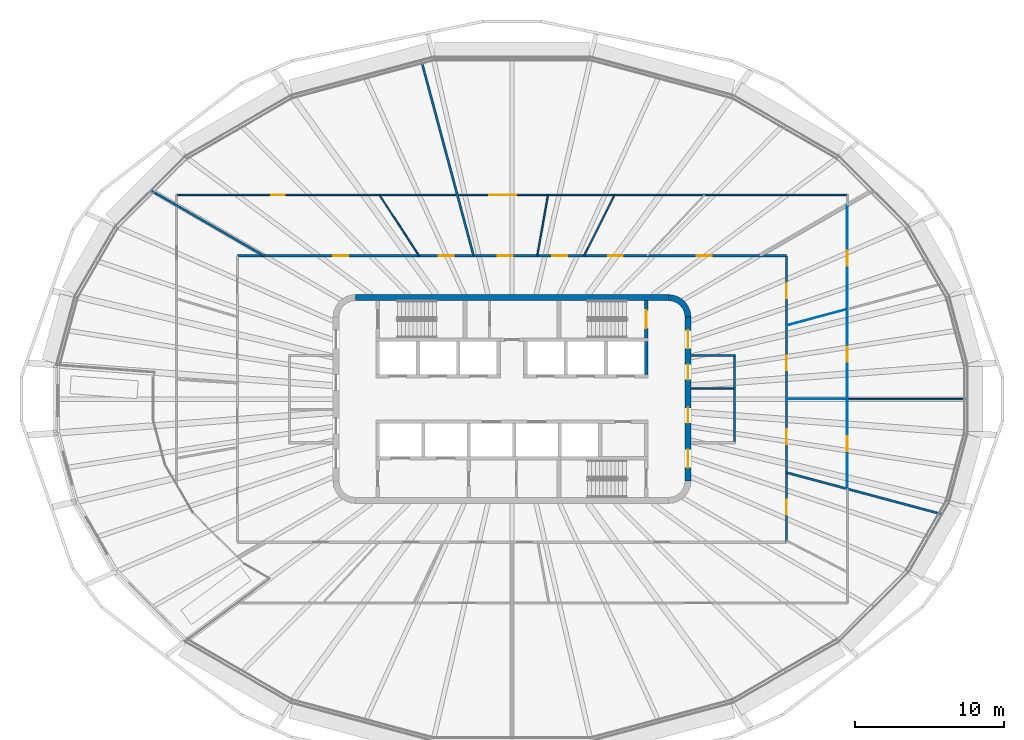
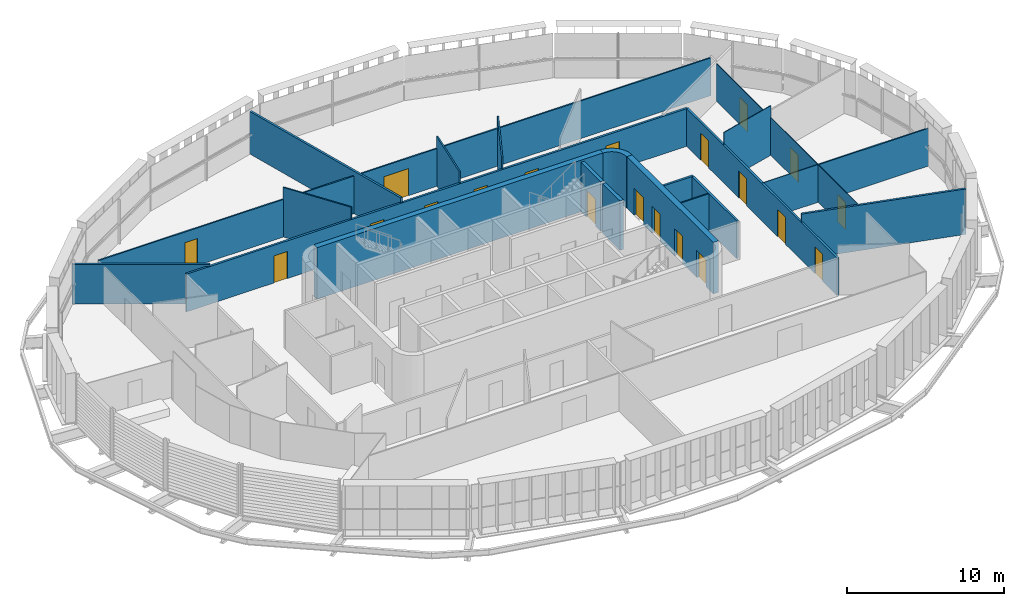
# One storey, part 12 of 20: 21 walls, 20 doors, 20 openings.
"""IFC4 building model written with IfcOpenShell, lengths in metres."""

import ifcopenshell
import ifcopenshell.guid

model = None  # the IFC model being written
_history = None  # IfcOwnerHistory: only IFC2X3 demands one
_inside = {}  # id of a spatial element -> (the spatial element, [elements in it])
_under = {}  # id of a project, library or spatial element -> (it, [spatial elements below it])
_declared = {}  # id of a project -> (the project, [libraries it declares])
_typed = {}  # id of a type object -> (the type object, [elements of that type])
_made_of = {}  # id of a material, layer set ... -> (it, [elements and type objects made of it])


def new_model(schema):
    """Start an empty IFC model of exactly this schema.

    Asked for "IFC4X3", IfcOpenShell would pick the latest addendum, in which some entities
    have other attributes; the version numbers below select the first issue.
    IFC2X3 requires an IfcOwnerHistory on every rooted entity: one is made here for all.
    """
    global model, _history
    if schema == "IFC4X3":
        model = ifcopenshell.file(schema_version=(4, 3, 0, 0))
    else:
        model = ifcopenshell.file(schema=schema)
    _inside.clear()
    _under.clear()
    _declared.clear()
    _typed.clear()
    _made_of.clear()
    _history = None
    if model.schema == "IFC2X3":
        org = make("IfcOrganization", Name="unknown")
        user = make(
            "IfcPersonAndOrganization",
            ThePerson=make("IfcPerson", FamilyName="unknown"),
            TheOrganization=org,
        )
        app = make(
            "IfcApplication",
            ApplicationDeveloper=org,
            Version="unknown",
            ApplicationFullName="unknown",
            ApplicationIdentifier="unknown",
        )
        _history = make(
            "IfcOwnerHistory",
            OwningUser=user,
            OwningApplication=app,
            ChangeAction="ADDED",
            CreationDate=0,
        )
    return model


def make(cls, **values):
    """One entity of the class cls with the attributes given. An attribute that is None is left unset."""
    return model.create_entity(
        cls, **{name: value for name, value in values.items() if value is not None}
    )


def rooted(cls, **values):
    """An entity with a GlobalId (a new one), such as an element, a storey or a relation."""
    return make(cls, GlobalId=ifcopenshell.guid.new(), OwnerHistory=_history, **values)


def si_unit(unit_type, name, prefix=None):
    """IfcSIUnit, for example si_unit("LENGTHUNIT", "METRE", prefix="MILLI")."""
    return make("IfcSIUnit", UnitType=unit_type, Prefix=prefix, Name=name)


def assignment(units):
    """IfcUnitAssignment: the units of a project."""
    return None if units is None else make("IfcUnitAssignment", Units=units)


def point(xyz):
    """IfcCartesianPoint."""
    return None if xyz is None else make("IfcCartesianPoint", Coordinates=xyz)


def direction(xyz):
    """IfcDirection."""
    return None if xyz is None else make("IfcDirection", DirectionRatios=xyz)


def frame(location, z_axis=None, x_axis=None):
    """IfcAxis2Placement3D, a coordinate frame: its origin and axes. An axis left out is left unset."""
    return make(
        "IfcAxis2Placement3D",
        Location=point(location),
        Axis=direction(z_axis),
        RefDirection=direction(x_axis),
    )


def frame_2d(location, x_axis=None):
    """IfcAxis2Placement2D, a coordinate frame in the plane: its origin and x axis."""
    return make(
        "IfcAxis2Placement2D", Location=point(location), RefDirection=direction(x_axis)
    )


def origin():
    """The frame at (0, 0, 0) with its axes left unset."""
    return frame((0.0, 0.0, 0.0))


def place(relative_to, where):
    """IfcLocalPlacement: puts the frame where relative to a parent placement (None: the world)."""
    return make(
        "IfcLocalPlacement", PlacementRelTo=relative_to, RelativePlacement=where
    )


def context(
    kind, dimensions, precision=None, world=None, true_north=None, identifier=None
):
    """IfcGeometricRepresentationContext, for example the 3D "Model" context."""
    return make(
        "IfcGeometricRepresentationContext",
        ContextIdentifier=identifier,
        ContextType=kind,
        CoordinateSpaceDimension=dimensions,
        Precision=precision,
        WorldCoordinateSystem=world,
        TrueNorth=true_north,
    )


def subcontext(parent, identifier, kind, view, scale=None):
    """IfcGeometricRepresentationSubContext, for example "Body" below "Model"."""
    return make(
        "IfcGeometricRepresentationSubContext",
        ContextIdentifier=identifier,
        ContextType=kind,
        ParentContext=parent,
        TargetScale=scale,
        TargetView=view,
    )


def project(units=None, contexts=None):
    """IfcProject with its units and contexts."""
    return rooted(
        "IfcProject",
        Name="project",
        RepresentationContexts=contexts,
        UnitsInContext=assignment(units),
    )


def spatial(cls, under=None, at=None, **own):
    """A site, building, storey or space (cls), placed at a placement, below another one or the project."""
    s = rooted(cls, ObjectPlacement=at, **own)
    if under is not None:
        _under.setdefault(under.id(), (under, []))[1].append(s)
    return s


def polyline(points):
    """IfcPolyline through the points."""
    return make("IfcPolyline", Points=[point(p) for p in points])


def profile(cls, at=None, kind="AREA", **sizes):
    """A parametric profile (cls). Its sizes go by their IFC names, for example OverallWidth=200.0."""
    return make(cls, ProfileType=kind, Position=at, **sizes)


def rectangle(**sizes):
    """IfcRectangleProfileDef."""
    return profile("IfcRectangleProfileDef", **sizes)


def outline(outer, holes=None, kind="AREA"):
    """IfcArbitraryClosedProfileDef: a profile drawn as a closed curve; with holes, ...WithVoids."""
    if holes is None:
        return make("IfcArbitraryClosedProfileDef", ProfileType=kind, OuterCurve=outer)
    return make(
        "IfcArbitraryProfileDefWithVoids",
        ProfileType=kind,
        OuterCurve=outer,
        InnerCurves=holes,
    )


def extrude(swept, where, along, depth):
    """IfcExtrudedAreaSolid: the profile swept, set in the frame where, extruded along a direction by depth."""
    return make(
        "IfcExtrudedAreaSolid",
        SweptArea=swept,
        Position=where,
        ExtrudedDirection=direction(along),
        Depth=depth,
    )


def shape(context_of_items, identifier, shape_type, items):
    """IfcShapeRepresentation: the items that make up one representation, for example the "Body"."""
    return make(
        "IfcShapeRepresentation",
        ContextOfItems=context_of_items,
        RepresentationIdentifier=identifier,
        RepresentationType=shape_type,
        Items=items,
    )


def material(Name=None, Category=None):
    """IfcMaterial."""
    return make("IfcMaterial", Name=Name, Category=Category)


def layer(
    of_material, thickness, ventilated=None, Name=None, Category=None, Priority=None
):
    """IfcMaterialLayer: one layer of a wall or slab, of a material (None: an air gap)."""
    return make(
        "IfcMaterialLayer",
        Material=of_material,
        LayerThickness=thickness,
        IsVentilated=ventilated,
        Name=Name,
        Category=Category,
        Priority=Priority,
    )


def layer_set(layers, Name=None):
    """IfcMaterialLayerSet."""
    return make("IfcMaterialLayerSet", MaterialLayers=layers, LayerSetName=Name)


def made_of(thing, what):
    """Note that an element or type object is made of a material, layer set ...; save() writes the relation."""
    if what is not None:
        _made_of.setdefault(what.id(), (what, []))[1].append(thing)
    return thing


def type_object(cls, material=None, **own):
    """A type object (cls), such as IfcWallType, which elements share."""
    return made_of(rooted(cls, **own), material)


def element(
    cls,
    number,
    at=None,
    inside=None,
    cuts=None,
    type_object=None,
    material=None,
    context=None,
    identifier="Body",
    shape_type=None,
    held_by="IfcProductDefinitionShape",
    body=None,
    shapes=None,
    **own,
):
    """One element of the class cls, such as IfcWall. Its Tag is "e" and its number.

    at: its placement. inside: the storey or other place that contains it. cuts: it is an
    opening in that element (IfcRelVoidsElement). A single representation is given by context,
    identifier, shape_type and body (its items); several are given by shapes. held_by: the class
    of the entity that holds the representations. save() writes the other relations.
    """
    e = rooted(cls, Tag="e%d" % number, ObjectPlacement=at, **own)
    if body is not None:
        shapes = [shape(context, identifier, shape_type, body)]
    if shapes is not None:
        e.Representation = make(held_by, Representations=shapes)
    if inside is not None:
        _inside.setdefault(inside.id(), (inside, []))[1].append(e)
    if cuts is not None:
        rooted(
            "IfcRelVoidsElement", RelatingBuildingElement=cuts, RelatedOpeningElement=e
        )
    if type_object is not None:
        _typed.setdefault(type_object.id(), (type_object, []))[1].append(e)
    return made_of(e, material)


def fill(opening, filler):
    """IfcRelFillsElement: the door or window that sits in an opening."""
    return rooted(
        "IfcRelFillsElement",
        RelatingOpeningElement=opening,
        RelatedBuildingElement=filler,
    )


def aggregate(whole, parts):
    """IfcRelAggregates: a whole, such as a stair, and the parts it consists of."""
    return rooted("IfcRelAggregates", RelatingObject=whole, RelatedObjects=parts)


def save(model, path):
    """Write the relations noted so far, then the file.

    IfcRelAggregates (storeys below a building ...), IfcRelContainedInSpatialStructure (elements
    in a storey), IfcRelDefinesByType, IfcRelAssociatesMaterial and IfcRelDeclares: one each for
    every whole, place, type object, material and project.
    """
    for whole, parts in _under.values():
        aggregate(whole, parts)
    for where, things in _inside.values():
        rooted(
            "IfcRelContainedInSpatialStructure",
            RelatedElements=things,
            RelatingStructure=where,
        )
    for kind, things in _typed.values():
        rooted("IfcRelDefinesByType", RelatedObjects=things, RelatingType=kind)
    for what, things in _made_of.values():
        rooted("IfcRelAssociatesMaterial", RelatedObjects=things, RelatingMaterial=what)
    for by, libraries in _declared.values():
        rooted("IfcRelDeclares", RelatingContext=by, RelatedDefinitions=libraries)
    model.write(path)


model = new_model("IFC4")

# Units and contexts
model_context = context("Model", 3, precision=1e-05, world=origin(), true_north=direction((0.0, 1.0)))
body_context = subcontext(model_context, "Body", "Model", "MODEL_VIEW")
ifc_project = project(units=[si_unit("LENGTHUNIT", "METRE"), si_unit("AREAUNIT", "SQUARE_METRE"), si_unit("VOLUMEUNIT", "CUBIC_METRE"), si_unit("PLANEANGLEUNIT", "RADIAN"), si_unit("MASSUNIT", "GRAM", prefix="KILO")], contexts=[model_context])

# Site, building, storey
site_placement = place(None, origin())
site = spatial("IfcSite", under=ifc_project, at=site_placement, CompositionType="ELEMENT")
building_placement = place(site_placement, origin())
building = spatial("IfcBuilding", under=site, at=building_placement, Name="Sahrelin Media Tower", CompositionType="ELEMENT")
storey_placement = place(building_placement, frame((0.0, 0.0, 221.60009765625)))
storey = spatial("IfcBuildingStorey", under=building, at=storey_placement, Name="L47", CompositionType="ELEMENT", Elevation=221.60009765625)

# Wall
ifc_material_1 = material(Name="Concrete C60/75", Category="concrete")
ifc_layer_1 = layer(ifc_material_1, 0.39990234375)
ifc_layer_set_1 = layer_set([ifc_layer_1], Name="Core wall 400")
wall_type_1 = type_object("IfcWallType", Name="Core wall 400", PredefinedType="SHEAR", material=ifc_layer_set_1)
wall_1_placement = place(storey_placement, frame((-10.5, 6.800048828125, 0.0), z_axis=(0.0, 0.0, 1.0), x_axis=(1.0, 0.0, 0.0)))
element("IfcWall", 1, at=wall_1_placement, inside=storey, type_object=wall_type_1, Name="Core wall N L47", PredefinedType="SHEAR", context=body_context, shape_type="SweptSolid", body=[
    extrude(rectangle(XDim=21.0, YDim=0.39990234375, at=frame_2d((10.5, 0.0))), origin(), (0.0, 0.0, 1.0), 4.0),
])

# Wall, openings, doors
wall_2_placement = place(storey_placement, frame((11.800048828125, -5.5, 0.0), z_axis=(0.0, 0.0, 1.0), x_axis=(0.0, 1.0, 0.0)))
wall_2 = element("IfcWall", 2, at=wall_2_placement, inside=storey, type_object=wall_type_1, Name="Core wall E L47", PredefinedType="SHEAR", context=body_context, shape_type="SweptSolid", body=[
    extrude(rectangle(XDim=11.0, YDim=0.39990234375, at=frame_2d((5.5, 0.0))), origin(), (0.0, 0.0, 1.0), 4.0),
])
opening_1_placement = place(wall_2_placement, frame((3.89990234375, 0.0, 0.0)))
opening_1 = element("IfcOpeningElement", 3, at=opening_1_placement, cuts=wall_2, Name="Opening L47-D12", PredefinedType="OPENING", context=body_context, shape_type="SweptSolid", body=[
    extrude(rectangle(XDim=1.0, YDim=2.10009765625, at=frame_2d((0.5, 1.050048828125))), frame((0.0, 0.199951171875, 0.0), z_axis=(0.0, -1.0, 0.0), x_axis=(1.0, 0.0, 0.0)), (0.0, 0.0, 1.0), 0.39990234375),
])
opening_2_placement = place(wall_2_placement, frame((6.800048828125, 0.0, 0.0)))
opening_2 = element("IfcOpeningElement", 4, at=opening_2_placement, cuts=wall_2, Name="Opening L47-D13", PredefinedType="OPENING", context=body_context, shape_type="SweptSolid", body=[
    extrude(rectangle(XDim=1.0, YDim=2.10009765625, at=frame_2d((0.5, 1.050048828125))), frame((0.0, 0.199951171875, 0.0), z_axis=(0.0, -1.0, 0.0), x_axis=(1.0, 0.0, 0.0)), (0.0, 0.0, 1.0), 0.39990234375),
])
opening_3_placement = place(wall_2_placement, frame((0.89990234375, 0.0, 0.0)))
opening_3 = element("IfcOpeningElement", 5, at=opening_3_placement, cuts=wall_2, Name="Opening L47-D16", PredefinedType="OPENING", context=body_context, shape_type="SweptSolid", body=[
    extrude(rectangle(XDim=1.199951171875, YDim=2.10009765625, at=frame_2d((0.60009765625, 1.050048828125))), frame((0.0, 0.199951171875, 0.0), z_axis=(0.0, -1.0, 0.0), x_axis=(1.0, 0.0, 0.0)), (0.0, 0.0, 1.0), 0.39990234375),
])
opening_4_placement = place(wall_2_placement, frame((8.89990234375, 0.0, 0.0)))
opening_4 = element("IfcOpeningElement", 6, at=opening_4_placement, cuts=wall_2, Name="Opening L47-D17", PredefinedType="OPENING", context=body_context, shape_type="SweptSolid", body=[
    extrude(rectangle(XDim=1.199951171875, YDim=2.10009765625, at=frame_2d((0.60009765625, 1.050048828125))), frame((0.0, 0.199951171875, 0.0), z_axis=(0.0, -1.0, 0.0), x_axis=(1.0, 0.0, 0.0)), (0.0, 0.0, 1.0), 0.39990234375),
])
ifc_material_2 = material(Name="Steel fire door leaf", Category="steel")
door_type_1 = type_object("IfcDoorType", Name="Fire door 1000 x 2100 EI 60", OperationType="NOTDEFINED", PredefinedType="DOOR", material=ifc_material_2)
door_1_placement = place(opening_1_placement, origin())
door_1 = element("IfcDoor", 7, at=door_1_placement, inside=storey, type_object=door_type_1, Name="Core room door", OperationType="SINGLE_SWING_RIGHT", OverallHeight=2.10009765625, OverallWidth=1.0, PredefinedType="DOOR", context=body_context, shape_type="SweptSolid", body=[
    extrude(rectangle(XDim=1.0, YDim=2.10009765625, at=frame_2d((0.5, 1.050048828125))), frame((0.0, 0.02490234375, 0.0), z_axis=(0.0, -1.0, 0.0), x_axis=(1.0, 0.0, 0.0)), (0.0, 0.0, 1.0), 0.050048828125),
])
fill(opening_1, door_1)
door_2_placement = place(opening_2_placement, origin())
door_2 = element("IfcDoor", 8, at=door_2_placement, inside=storey, type_object=door_type_1, Name="Core room door", OperationType="SINGLE_SWING_RIGHT", OverallHeight=2.10009765625, OverallWidth=1.0, PredefinedType="DOOR", context=body_context, shape_type="SweptSolid", body=[
    extrude(rectangle(XDim=1.0, YDim=2.10009765625, at=frame_2d((0.5, 1.050048828125))), frame((0.0, 0.02490234375, 0.0), z_axis=(0.0, -1.0, 0.0), x_axis=(1.0, 0.0, 0.0)), (0.0, 0.0, 1.0), 0.050048828125),
])
fill(opening_2, door_2)
door_type_2 = type_object("IfcDoorType", Name="Lobby door 1200 x 2100 EI 60", OperationType="NOTDEFINED", PredefinedType="DOOR", material=ifc_material_2)
door_3_placement = place(opening_3_placement, origin())
door_3 = element("IfcDoor", 9, at=door_3_placement, inside=storey, type_object=door_type_2, Name="Lobby door", OperationType="SINGLE_SWING_LEFT", OverallHeight=2.10009765625, OverallWidth=1.199951171875, PredefinedType="DOOR", context=body_context, shape_type="SweptSolid", body=[
    extrude(rectangle(XDim=1.199951171875, YDim=2.10009765625, at=frame_2d((0.60009765625, 1.050048828125))), frame((0.0, 0.02490234375, 0.0), z_axis=(0.0, -1.0, 0.0), x_axis=(1.0, 0.0, 0.0)), (0.0, 0.0, 1.0), 0.050048828125),
])
fill(opening_3, door_3)
door_4_placement = place(opening_4_placement, origin())
door_4 = element("IfcDoor", 10, at=door_4_placement, inside=storey, type_object=door_type_2, Name="Lobby door", OperationType="SINGLE_SWING_LEFT", OverallHeight=2.10009765625, OverallWidth=1.199951171875, PredefinedType="DOOR", context=body_context, shape_type="SweptSolid", body=[
    extrude(rectangle(XDim=1.199951171875, YDim=2.10009765625, at=frame_2d((0.60009765625, 1.050048828125))), frame((0.0, 0.02490234375, 0.0), z_axis=(0.0, -1.0, 0.0), x_axis=(1.0, 0.0, 0.0)), (0.0, 0.0, 1.0), 0.050048828125),
])
fill(opening_4, door_4)

# Walls
wall_3_placement = place(storey_placement, origin())
element("IfcWall", 11, at=wall_3_placement, inside=storey, type_object=wall_type_1, Name="Core wall corner NE L47", PredefinedType="SHEAR", context=body_context, shape_type="SweptSolid", body=[
    extrude(outline(polyline([(10.5, 7.0), (10.5, 6.596435546875), (10.78369140625, 6.55908203125), (11.04833984375, 6.44970703125), (11.275390625, 6.275390625), (11.44970703125, 6.04833984375), (11.55908203125, 5.78369140625), (11.596435546875, 5.5), (12.0, 5.5), (11.948974609375, 5.88818359375), (11.799072265625, 6.25), (11.560791015625, 6.560791015625), (11.25, 6.799072265625), (10.88818359375, 6.948974609375), (10.5, 7.0)])), origin(), (0.0, 0.0, 1.0), 4.0),
])
ifc_material_3 = material(Name="Fire-rated gypsum board partition")
ifc_layer_2 = layer(ifc_material_3, 0.10009765625)
ifc_layer_set_2 = layer_set([ifc_layer_2], Name="Fire-rated partition 100")
wall_type_2 = type_object("IfcWallType", Name="Fire-rated partition 100", PredefinedType="PARTITIONING", material=ifc_layer_set_2)
wall_4_placement = place(storey_placement, frame((12.0, 0.699951171875, 0.0), z_axis=(0.0, 0.0, 1.0), x_axis=(1.0, 0.0, 0.0)))
element("IfcWall", 12, at=wall_4_placement, inside=storey, type_object=wall_type_2, Name="Core room partition", PredefinedType="PARTITIONING", context=body_context, shape_type="SweptSolid", body=[
    extrude(rectangle(XDim=2.85009765625, YDim=0.10009765625, at=frame_2d((1.425048828125, 0.0))), origin(), (0.0, 0.0, 1.0), 2.918212890625),
])
ifc_layer_3 = layer(ifc_material_3, 0.14990234375)
ifc_layer_set_3 = layer_set([ifc_layer_3], Name="Fire-rated partition 150")
wall_type_3 = type_object("IfcWallType", Name="Fire-rated partition 150", PredefinedType="PARTITIONING", material=ifc_layer_set_3)
wall_5_placement = place(storey_placement, frame((14.925048828125, -2.85009765625, 0.0), z_axis=(0.0, 0.0, 1.0), x_axis=(0.0, 1.0, 0.0)))
element("IfcWall", 13, at=wall_5_placement, inside=storey, type_object=wall_type_3, Name="Core room fire partition", PredefinedType="PARTITIONING", context=body_context, shape_type="SweptSolid", body=[
    extrude(rectangle(XDim=5.7001953125, YDim=0.14990234375, at=frame_2d((2.85009765625, 0.0))), origin(), (0.0, 0.0, 1.0), 2.918212890625),
])
wall_6_placement = place(storey_placement, frame((12.0, 2.925048828125, 0.0), z_axis=(0.0, 0.0, 1.0), x_axis=(1.0, 0.0, 0.0)))
element("IfcWall", 14, at=wall_6_placement, inside=storey, type_object=wall_type_3, Name="Core room fire partition", PredefinedType="PARTITIONING", context=body_context, shape_type="SweptSolid", body=[
    extrude(rectangle(XDim=3.0, YDim=0.14990234375, at=frame_2d((1.5, 0.0))), origin(), (0.0, 0.0, 1.0), 2.918212890625),
])
wall_7_placement = place(storey_placement, frame((-6.0859375, 22.712890625, 0.0), z_axis=(0.0, 0.0, 1.0), x_axis=(0.258822080859, -0.965925012855, 0.0)))
element("IfcWall", 15, at=wall_7_placement, inside=storey, type_object=wall_type_3, Name="Wall", PredefinedType="PARTITIONING", context=body_context, shape_type="SweptSolid", body=[
    extrude(rectangle(XDim=13.57568359375, YDim=0.14990234375, at=frame_2d((6.787841796875, 0.0))), origin(), (0.0, 0.0, 1.0), 3.301513671875),
])
wall_8_placement = place(storey_placement, frame((-24.214111328125, 13.97998046875, 0.0), z_axis=(0.0, 0.0, 1.0), x_axis=(0.866025463095, -0.499999897272, 0.0)))
element("IfcWall", 16, at=wall_8_placement, inside=storey, type_object=wall_type_3, Name="Wall", PredefinedType="PARTITIONING", context=body_context, shape_type="SweptSolid", body=[
    extrude(rectangle(XDim=8.759765625, YDim=0.14990234375, at=frame_2d((4.3798828125, 0.0))), origin(), (0.0, 0.0, 1.0), 3.075927734375),
])
wall_9_placement = place(storey_placement, frame((18.39990234375, -4.930908203125, 0.0), z_axis=(0.0, 0.0, 1.0), x_axis=(0.96593412763, -0.25878806209, 0.0)))
element("IfcWall", 17, at=wall_9_placement, inside=storey, type_object=wall_type_3, Name="Wall", PredefinedType="PARTITIONING", context=body_context, shape_type="SweptSolid", body=[
    extrude(rectangle(XDim=10.800048828125, YDim=0.14990234375, at=frame_2d((5.39990234375, 0.0))), origin(), (0.0, 0.0, 1.0), 3.526611328125),
])

# Wall, openings, doors
wall_10_placement = place(storey_placement, frame((-18.39990234375, 9.60009765625, 0.0), z_axis=(0.0, 0.0, 1.0), x_axis=(1.0, 0.0, 0.0)))
wall_10 = element("IfcWall", 18, at=wall_10_placement, inside=storey, type_object=wall_type_3, Name="Wall", PredefinedType="PARTITIONING", context=body_context, shape_type="SweptSolid", body=[
    extrude(rectangle(XDim=36.7998046875, YDim=0.14990234375, at=frame_2d((18.39990234375, 0.0))), origin(), (0.0, 0.0, 1.0), 2.927001953125),
])
opening_5_placement = place(wall_10_placement, frame((30.793212890625, 0.0, 0.0)))
opening_5 = element("IfcOpeningElement", 19, at=opening_5_placement, cuts=wall_10, Name="Opening L47-D37", PredefinedType="OPENING", context=body_context, shape_type="SweptSolid", body=[
    extrude(rectangle(XDim=1.0, YDim=2.10009765625, at=frame_2d((0.5, 1.050048828125))), frame((0.0, 0.074951171875, 0.0), z_axis=(0.0, -1.0, 0.0), x_axis=(1.0, 0.0, 0.0)), (0.0, 0.0, 1.0), 0.14990234375),
])
opening_6_placement = place(wall_10_placement, frame((24.839599609375, 0.0, 0.0)))
opening_6 = element("IfcOpeningElement", 20, at=opening_6_placement, cuts=wall_10, Name="Opening L47-D38", PredefinedType="OPENING", context=body_context, shape_type="SweptSolid", body=[
    extrude(rectangle(XDim=1.0, YDim=2.10009765625, at=frame_2d((0.5, 1.050048828125))), frame((0.0, 0.074951171875, 0.0), z_axis=(0.0, -1.0, 0.0), x_axis=(1.0, 0.0, 0.0)), (0.0, 0.0, 1.0), 0.14990234375),
])
opening_7_placement = place(wall_10_placement, frame((21.10595703125, 0.0, 0.0)))
opening_7 = element("IfcOpeningElement", 21, at=opening_7_placement, cuts=wall_10, Name="Opening L47-D39", PredefinedType="OPENING", context=body_context, shape_type="SweptSolid", body=[
    extrude(rectangle(XDim=1.0, YDim=2.10009765625, at=frame_2d((0.5, 1.050048828125))), frame((0.0, 0.074951171875, 0.0), z_axis=(0.0, -1.0, 0.0), x_axis=(1.0, 0.0, 0.0)), (0.0, 0.0, 1.0), 0.14990234375),
])
opening_8_placement = place(wall_10_placement, frame((17.46044921875, 0.0, 0.0)))
opening_8 = element("IfcOpeningElement", 22, at=opening_8_placement, cuts=wall_10, Name="Opening L47-D40", PredefinedType="OPENING", context=body_context, shape_type="SweptSolid", body=[
    extrude(rectangle(XDim=1.0, YDim=2.10009765625, at=frame_2d((0.5, 1.050048828125))), frame((0.0, 0.074951171875, 0.0), z_axis=(0.0, -1.0, 0.0), x_axis=(1.0, 0.0, 0.0)), (0.0, 0.0, 1.0), 0.14990234375),
])
opening_9_placement = place(wall_10_placement, frame((13.4970703125, 0.0, 0.0)))
opening_9 = element("IfcOpeningElement", 23, at=opening_9_placement, cuts=wall_10, Name="Opening L47-D42", PredefinedType="OPENING", context=body_context, shape_type="SweptSolid", body=[
    extrude(rectangle(XDim=1.0, YDim=2.10009765625, at=frame_2d((0.5, 1.050048828125))), frame((0.0, 0.074951171875, 0.0), z_axis=(0.0, -1.0, 0.0), x_axis=(1.0, 0.0, 0.0)), (0.0, 0.0, 1.0), 0.14990234375),
])
opening_10_placement = place(wall_10_placement, frame((6.41845703125, 0.0, 0.0)))
opening_10 = element("IfcOpeningElement", 24, at=opening_10_placement, cuts=wall_10, Name="Opening L47-D43", PredefinedType="OPENING", context=body_context, shape_type="SweptSolid", body=[
    extrude(rectangle(XDim=1.0, YDim=2.10009765625, at=frame_2d((0.5, 1.050048828125))), frame((0.0, 0.074951171875, 0.0), z_axis=(0.0, -1.0, 0.0), x_axis=(1.0, 0.0, 0.0)), (0.0, 0.0, 1.0), 0.14990234375),
])
door_5_placement = place(opening_5_placement, origin())
door_5 = element("IfcDoor", 25, at=door_5_placement, inside=storey, type_object=door_type_1, Name="Fire door", OperationType="SINGLE_SWING_LEFT", OverallHeight=2.10009765625, OverallWidth=1.0, PredefinedType="DOOR", context=body_context, shape_type="SweptSolid", body=[
    extrude(rectangle(XDim=1.0, YDim=2.10009765625, at=frame_2d((0.5, 1.050048828125))), frame((0.0, 0.02490234375, 0.0), z_axis=(0.0, -1.0, 0.0), x_axis=(1.0, 0.0, 0.0)), (0.0, 0.0, 1.0), 0.050048828125),
])
fill(opening_5, door_5)
door_6_placement = place(opening_6_placement, origin())
door_6 = element("IfcDoor", 26, at=door_6_placement, inside=storey, type_object=door_type_1, Name="Fire door", OperationType="SINGLE_SWING_LEFT", OverallHeight=2.10009765625, OverallWidth=1.0, PredefinedType="DOOR", context=body_context, shape_type="SweptSolid", body=[
    extrude(rectangle(XDim=1.0, YDim=2.10009765625, at=frame_2d((0.5, 1.050048828125))), frame((0.0, 0.02490234375, 0.0), z_axis=(0.0, -1.0, 0.0), x_axis=(1.0, 0.0, 0.0)), (0.0, 0.0, 1.0), 0.050048828125),
])
fill(opening_6, door_6)
door_7_placement = place(opening_7_placement, origin())
door_7 = element("IfcDoor", 27, at=door_7_placement, inside=storey, type_object=door_type_1, Name="Fire door", OperationType="SINGLE_SWING_RIGHT", OverallHeight=2.10009765625, OverallWidth=1.0, PredefinedType="DOOR", context=body_context, shape_type="SweptSolid", body=[
    extrude(rectangle(XDim=1.0, YDim=2.10009765625, at=frame_2d((0.5, 1.050048828125))), frame((0.0, 0.02490234375, 0.0), z_axis=(0.0, -1.0, 0.0), x_axis=(1.0, 0.0, 0.0)), (0.0, 0.0, 1.0), 0.050048828125),
])
fill(opening_7, door_7)
door_8_placement = place(opening_8_placement, origin())
door_8 = element("IfcDoor", 28, at=door_8_placement, inside=storey, type_object=door_type_1, Name="Fire door", OperationType="SINGLE_SWING_LEFT", OverallHeight=2.10009765625, OverallWidth=1.0, PredefinedType="DOOR", context=body_context, shape_type="SweptSolid", body=[
    extrude(rectangle(XDim=1.0, YDim=2.10009765625, at=frame_2d((0.5, 1.050048828125))), frame((0.0, 0.02490234375, 0.0), z_axis=(0.0, -1.0, 0.0), x_axis=(1.0, 0.0, 0.0)), (0.0, 0.0, 1.0), 0.050048828125),
])
fill(opening_8, door_8)
door_9_placement = place(opening_9_placement, origin())
door_9 = element("IfcDoor", 29, at=door_9_placement, inside=storey, type_object=door_type_1, Name="Fire door", OperationType="SINGLE_SWING_LEFT", OverallHeight=2.10009765625, OverallWidth=1.0, PredefinedType="DOOR", context=body_context, shape_type="SweptSolid", body=[
    extrude(rectangle(XDim=1.0, YDim=2.10009765625, at=frame_2d((0.5, 1.050048828125))), frame((0.0, 0.02490234375, 0.0), z_axis=(0.0, -1.0, 0.0), x_axis=(1.0, 0.0, 0.0)), (0.0, 0.0, 1.0), 0.050048828125),
])
fill(opening_9, door_9)
door_10_placement = place(opening_10_placement, origin())
door_10 = element("IfcDoor", 30, at=door_10_placement, inside=storey, type_object=door_type_1, Name="Fire door", OperationType="SINGLE_SWING_LEFT", OverallHeight=2.10009765625, OverallWidth=1.0, PredefinedType="DOOR", context=body_context, shape_type="SweptSolid", body=[
    extrude(rectangle(XDim=1.0, YDim=2.10009765625, at=frame_2d((0.5, 1.050048828125))), frame((0.0, 0.02490234375, 0.0), z_axis=(0.0, -1.0, 0.0), x_axis=(1.0, 0.0, 0.0)), (0.0, 0.0, 1.0), 0.050048828125),
])
fill(opening_10, door_10)

wall_11_placement = place(storey_placement, frame((18.39990234375, -9.60009765625, 0.0), z_axis=(0.0, 0.0, 1.0), x_axis=(0.0, 1.0, 0.0)))
wall_11 = element("IfcWall", 31, at=wall_11_placement, inside=storey, type_object=wall_type_3, Name="Wall", PredefinedType="PARTITIONING", context=body_context, shape_type="SweptSolid", body=[
    extrude(rectangle(XDim=19.2001953125, YDim=0.14990234375, at=frame_2d((9.60009765625, 0.0))), origin(), (0.0, 0.0, 1.0), 2.918212890625),
])
opening_11_placement = place(wall_11_placement, frame((1.83447265625, 0.0, 0.0)))
opening_11 = element("IfcOpeningElement", 32, at=opening_11_placement, cuts=wall_11, Name="Opening L47-D29", PredefinedType="OPENING", context=body_context, shape_type="SweptSolid", body=[
    extrude(rectangle(XDim=1.0, YDim=2.10009765625, at=frame_2d((0.5, 1.050048828125))), frame((0.0, 0.074951171875, 0.0), z_axis=(0.0, -1.0, 0.0), x_axis=(1.0, 0.0, 0.0)), (0.0, 0.0, 1.0), 0.14990234375),
])
opening_12_placement = place(wall_11_placement, frame((6.583984375, 0.0, 0.0)))
opening_12 = element("IfcOpeningElement", 33, at=opening_12_placement, cuts=wall_11, Name="Opening L47-D31", PredefinedType="OPENING", context=body_context, shape_type="SweptSolid", body=[
    extrude(rectangle(XDim=1.0, YDim=2.10009765625, at=frame_2d((0.5, 1.050048828125))), frame((0.0, 0.074951171875, 0.0), z_axis=(0.0, -1.0, 0.0), x_axis=(1.0, 0.0, 0.0)), (0.0, 0.0, 1.0), 0.14990234375),
])
opening_13_placement = place(wall_11_placement, frame((11.514404296875, 0.0, 0.0)))
opening_13 = element("IfcOpeningElement", 34, at=opening_13_placement, cuts=wall_11, Name="Opening L47-D32", PredefinedType="OPENING", context=body_context, shape_type="SweptSolid", body=[
    extrude(rectangle(XDim=1.0, YDim=2.10009765625, at=frame_2d((0.5, 1.050048828125))), frame((0.0, 0.074951171875, 0.0), z_axis=(0.0, -1.0, 0.0), x_axis=(1.0, 0.0, 0.0)), (0.0, 0.0, 1.0), 0.14990234375),
])
opening_14_placement = place(wall_11_placement, frame((16.364990234375, 0.0, 0.0)))
opening_14 = element("IfcOpeningElement", 35, at=opening_14_placement, cuts=wall_11, Name="Opening L47-D33", PredefinedType="OPENING", context=body_context, shape_type="SweptSolid", body=[
    extrude(rectangle(XDim=1.0, YDim=2.10009765625, at=frame_2d((0.5, 1.050048828125))), frame((0.0, 0.074951171875, 0.0), z_axis=(0.0, -1.0, 0.0), x_axis=(1.0, 0.0, 0.0)), (0.0, 0.0, 1.0), 0.14990234375),
])
door_11_placement = place(opening_11_placement, origin())
door_11 = element("IfcDoor", 36, at=door_11_placement, inside=storey, type_object=door_type_1, Name="Fire door", OperationType="SINGLE_SWING_RIGHT", OverallHeight=2.10009765625, OverallWidth=1.0, PredefinedType="DOOR", context=body_context, shape_type="SweptSolid", body=[
    extrude(rectangle(XDim=1.0, YDim=2.10009765625, at=frame_2d((0.5, 1.050048828125))), frame((0.0, 0.02490234375, 0.0), z_axis=(0.0, -1.0, 0.0), x_axis=(1.0, 0.0, 0.0)), (0.0, 0.0, 1.0), 0.050048828125),
])
fill(opening_11, door_11)
door_12_placement = place(opening_12_placement, origin())
door_12 = element("IfcDoor", 37, at=door_12_placement, inside=storey, type_object=door_type_1, Name="Fire door", OperationType="SINGLE_SWING_RIGHT", OverallHeight=2.10009765625, OverallWidth=1.0, PredefinedType="DOOR", context=body_context, shape_type="SweptSolid", body=[
    extrude(rectangle(XDim=1.0, YDim=2.10009765625, at=frame_2d((0.5, 1.050048828125))), frame((0.0, 0.02490234375, 0.0), z_axis=(0.0, -1.0, 0.0), x_axis=(1.0, 0.0, 0.0)), (0.0, 0.0, 1.0), 0.050048828125),
])
fill(opening_12, door_12)
door_13_placement = place(opening_13_placement, origin())
door_13 = element("IfcDoor", 38, at=door_13_placement, inside=storey, type_object=door_type_1, Name="Fire door", OperationType="SINGLE_SWING_RIGHT", OverallHeight=2.10009765625, OverallWidth=1.0, PredefinedType="DOOR", context=body_context, shape_type="SweptSolid", body=[
    extrude(rectangle(XDim=1.0, YDim=2.10009765625, at=frame_2d((0.5, 1.050048828125))), frame((0.0, 0.02490234375, 0.0), z_axis=(0.0, -1.0, 0.0), x_axis=(1.0, 0.0, 0.0)), (0.0, 0.0, 1.0), 0.050048828125),
])
fill(opening_13, door_13)
door_14_placement = place(opening_14_placement, origin())
door_14 = element("IfcDoor", 39, at=door_14_placement, inside=storey, type_object=door_type_1, Name="Fire door", OperationType="SINGLE_SWING_RIGHT", OverallHeight=2.10009765625, OverallWidth=1.0, PredefinedType="DOOR", context=body_context, shape_type="SweptSolid", body=[
    extrude(rectangle(XDim=1.0, YDim=2.10009765625, at=frame_2d((0.5, 1.050048828125))), frame((0.0, 0.02490234375, 0.0), z_axis=(0.0, -1.0, 0.0), x_axis=(1.0, 0.0, 0.0)), (0.0, 0.0, 1.0), 0.050048828125),
])
fill(opening_14, door_14)

# Walls
ifc_material_4 = material(Name="Clear glass", Category="glass")
ifc_layer_4 = layer(ifc_material_4, 0.050048828125)
ifc_layer_set_4 = layer_set([ifc_layer_4], Name="Glazed partition 50")
wall_type_4 = type_object("IfcWallType", Name="Glazed partition 50", PredefinedType="PARTITIONING", material=ifc_layer_set_4)
wall_12_placement = place(storey_placement, frame((18.39990234375, 0.0, 0.0), z_axis=(0.0, 0.0, 1.0), x_axis=(0.999999971356, -0.000239348964, 0.0)))
element("IfcWall", 40, at=wall_12_placement, inside=storey, type_object=wall_type_4, Name="Wall", PredefinedType="PARTITIONING", context=body_context, shape_type="SweptSolid", body=[
    extrude(rectangle(XDim=4.080078125, YDim=0.050048828125, at=frame_2d((2.0400390625, 0.0))), origin(), (0.0, 0.0, 1.0), 2.927001953125),
])
wall_13_placement = place(storey_placement, frame((18.39990234375, 4.929931640625, 0.0), z_axis=(0.0, 0.0, 1.0), x_axis=(0.965939796444, 0.258766902147, 0.0)))
element("IfcWall", 41, at=wall_13_placement, inside=storey, type_object=wall_type_4, Name="Wall", PredefinedType="PARTITIONING", context=body_context, shape_type="SweptSolid", body=[
    extrude(rectangle(XDim=4.223876953125, YDim=0.050048828125, at=frame_2d((2.11181640625, 0.0))), origin(), (0.0, 0.0, 1.0), 3.849853515625),
])

# Wall, openings, doors
wall_14_placement = place(storey_placement, frame((22.47998046875, -6.02392578125, 0.0), z_axis=(0.0, 0.0, 1.0), x_axis=(0.0, 1.0, 0.0)))
wall_14 = element("IfcWall", 42, at=wall_14_placement, inside=storey, type_object=wall_type_4, Name="Wall", PredefinedType="PARTITIONING", context=body_context, shape_type="SweptSolid", body=[
    extrude(rectangle(XDim=19.0029296875, YDim=0.050048828125, at=frame_2d((9.50146484375, 0.0))), origin(), (0.0, 0.0, 1.0), 2.918212890625),
])
opening_15_placement = place(wall_14_placement, frame((2.511474609375, 0.0, 0.0)))
opening_15 = element("IfcOpeningElement", 43, at=opening_15_placement, cuts=wall_14, Name="Opening L47-D34", PredefinedType="OPENING", context=body_context, shape_type="SweptSolid", body=[
    extrude(rectangle(XDim=1.0, YDim=2.10009765625, at=frame_2d((0.5, 1.050048828125))), frame((0.0, 0.02490234375, 0.0), z_axis=(0.0, -1.0, 0.0), x_axis=(1.0, 0.0, 0.0)), (0.0, 0.0, 1.0), 0.050048828125),
])
opening_16_placement = place(wall_14_placement, frame((8.535400390625, 0.0, 0.0)))
opening_16 = element("IfcOpeningElement", 44, at=opening_16_placement, cuts=wall_14, Name="Opening L47-D35", PredefinedType="OPENING", context=body_context, shape_type="SweptSolid", body=[
    extrude(rectangle(XDim=1.0, YDim=2.10009765625, at=frame_2d((0.5, 1.050048828125))), frame((0.0, 0.02490234375, 0.0), z_axis=(0.0, -1.0, 0.0), x_axis=(1.0, 0.0, 0.0)), (0.0, 0.0, 1.0), 0.050048828125),
])
opening_17_placement = place(wall_14_placement, frame((14.974365234375, 0.0, 0.0)))
opening_17 = element("IfcOpeningElement", 45, at=opening_17_placement, cuts=wall_14, Name="Opening L47-D36", PredefinedType="OPENING", context=body_context, shape_type="SweptSolid", body=[
    extrude(rectangle(XDim=1.0, YDim=2.10009765625, at=frame_2d((0.5, 1.050048828125))), frame((0.0, 0.02490234375, 0.0), z_axis=(0.0, -1.0, 0.0), x_axis=(1.0, 0.0, 0.0)), (0.0, 0.0, 1.0), 0.050048828125),
])
door_type_3 = type_object("IfcDoorType", Name="Glazed door 1000 x 2100", OperationType="NOTDEFINED", PredefinedType="DOOR", material=ifc_material_4)
door_15_placement = place(opening_15_placement, origin())
door_15 = element("IfcDoor", 46, at=door_15_placement, inside=storey, type_object=door_type_3, Name="Glazed door", OperationType="SINGLE_SWING_LEFT", OverallHeight=2.10009765625, OverallWidth=1.0, PredefinedType="DOOR", context=body_context, shape_type="SweptSolid", body=[
    extrude(rectangle(XDim=1.0, YDim=2.10009765625, at=frame_2d((0.5, 1.050048828125))), frame((0.0, 0.02490234375, 0.0), z_axis=(0.0, -1.0, 0.0), x_axis=(1.0, 0.0, 0.0)), (0.0, 0.0, 1.0), 0.049560546875),
])
fill(opening_15, door_15)
door_16_placement = place(opening_16_placement, origin())
door_16 = element("IfcDoor", 47, at=door_16_placement, inside=storey, type_object=door_type_3, Name="Glazed door", OperationType="SINGLE_SWING_LEFT", OverallHeight=2.10009765625, OverallWidth=1.0, PredefinedType="DOOR", context=body_context, shape_type="SweptSolid", body=[
    extrude(rectangle(XDim=1.0, YDim=2.10009765625, at=frame_2d((0.5, 1.050048828125))), frame((0.0, 0.02490234375, 0.0), z_axis=(0.0, -1.0, 0.0), x_axis=(1.0, 0.0, 0.0)), (0.0, 0.0, 1.0), 0.049560546875),
])
fill(opening_16, door_16)
door_17_placement = place(opening_17_placement, origin())
door_17 = element("IfcDoor", 48, at=door_17_placement, inside=storey, type_object=door_type_3, Name="Glazed door", OperationType="SINGLE_SWING_LEFT", OverallHeight=2.10009765625, OverallWidth=1.0, PredefinedType="DOOR", context=body_context, shape_type="SweptSolid", body=[
    extrude(rectangle(XDim=1.0, YDim=2.10009765625, at=frame_2d((0.5, 1.050048828125))), frame((0.0, 0.02490234375, 0.0), z_axis=(0.0, -1.0, 0.0), x_axis=(1.0, 0.0, 0.0)), (0.0, 0.0, 1.0), 0.049560546875),
])
fill(opening_17, door_17)

# Walls
ifc_layer_5 = layer(ifc_material_1, 0.25)
ifc_layer_set_5 = layer_set([ifc_layer_5], Name="Lift shaft wall 250")
wall_type_5 = type_object("IfcWallType", Name="Lift shaft wall 250", PredefinedType="SOLIDWALL", material=ifc_layer_set_5)
wall_15_placement = place(storey_placement, frame((9.0, 1.64990234375, 0.0), z_axis=(0.0, 0.0, 1.0), x_axis=(0.0, 1.0, 0.0)))
element("IfcWall", 49, at=wall_15_placement, inside=storey, type_object=wall_type_5, Name="Lift shaft wall", PredefinedType="SOLIDWALL", context=body_context, shape_type="SweptSolid", body=[
    extrude(rectangle(XDim=2.2001953125, YDim=0.25, at=frame_2d((1.10009765625, 0.0))), origin(), (0.0, 0.0, 1.0), 3.849853515625),
])
ifc_material_5 = material(Name="Gypsum board partition")
ifc_layer_6 = layer(ifc_material_5, 0.10009765625)
ifc_layer_set_6 = layer_set([ifc_layer_6], Name="Partition 100")
wall_type_6 = type_object("IfcWallType", Name="Partition 100", PredefinedType="PARTITIONING", material=ifc_layer_set_6)
wall_16_placement = place(storey_placement, frame((-8.884033203125, 13.679931640625, 0.0), z_axis=(0.0, 0.0, 1.0), x_axis=(0.544736088182, -0.838607532898, 0.0)))
element("IfcWall", 50, at=wall_16_placement, inside=storey, type_object=wall_type_6, Name="Wall", PredefinedType="PARTITIONING", context=body_context, shape_type="SweptSolid", body=[
    extrude(rectangle(XDim=4.864990234375, YDim=0.10009765625, at=frame_2d((2.4326171875, 0.0))), origin(), (0.0, 0.0, 1.0), 3.849853515625),
])
wall_17_placement = place(storey_placement, frame((22.47998046875, 0.0, 0.0), z_axis=(0.0, 0.0, 1.0), x_axis=(1.0, 0.0, 0.0)))
element("IfcWall", 51, at=wall_17_placement, inside=storey, type_object=wall_type_6, Name="Wall", PredefinedType="PARTITIONING", context=body_context, shape_type="SweptSolid", body=[
    extrude(rectangle(XDim=8.068115234375, YDim=0.10009765625, at=frame_2d((4.0341796875, 0.0))), origin(), (0.0, 0.0, 1.0), 2.927001953125),
])

# Wall, openings, doors
wall_18_placement = place(storey_placement, frame((-22.47998046875, 13.679931640625, 0.0), z_axis=(0.0, 0.0, 1.0), x_axis=(1.0, 0.0, 0.0)))
wall_18 = element("IfcWall", 52, at=wall_18_placement, inside=storey, type_object=wall_type_6, Name="Wall", PredefinedType="PARTITIONING", context=body_context, shape_type="SweptSolid", body=[
    extrude(rectangle(XDim=44.9599609375, YDim=0.10009765625, at=frame_2d((22.47998046875, 0.0))), origin(), (0.0, 0.0, 1.0), 2.927001953125),
])
opening_18_placement = place(wall_18_placement, frame((20.95361328125, 0.0, 0.0)))
opening_18 = element("IfcOpeningElement", 53, at=opening_18_placement, cuts=wall_18, Name="Opening L47-D41", PredefinedType="OPENING", context=body_context, shape_type="SweptSolid", body=[
    extrude(rectangle(XDim=1.800048828125, YDim=2.10009765625, at=frame_2d((0.89990234375, 1.050048828125))), frame((0.0, 0.050048828125, 0.0), z_axis=(0.0, -1.0, 0.0), x_axis=(1.0, 0.0, 0.0)), (0.0, 0.0, 1.0), 0.10009765625),
])
opening_19_placement = place(wall_18_placement, frame((6.347900390625, 0.0, 0.0)))
opening_19 = element("IfcOpeningElement", 54, at=opening_19_placement, cuts=wall_18, Name="Opening L47-D44", PredefinedType="OPENING", context=body_context, shape_type="SweptSolid", body=[
    extrude(rectangle(XDim=0.89990234375, YDim=2.10009765625, at=frame_2d((0.449951171875, 1.050048828125))), frame((0.0, 0.050048828125, 0.0), z_axis=(0.0, -1.0, 0.0), x_axis=(1.0, 0.0, 0.0)), (0.0, 0.0, 1.0), 0.10009765625),
])
ifc_material_6 = material(Name="Timber door leaf", Category="wood")
door_type_4 = type_object("IfcDoorType", Name="Double door 1800 x 2100", OperationType="DOUBLE_DOOR_SINGLE_SWING", PredefinedType="DOOR", material=ifc_material_6)
door_18_placement = place(opening_18_placement, origin())
door_18 = element("IfcDoor", 55, at=door_18_placement, inside=storey, type_object=door_type_4, Name="Double door", OperationType="DOUBLE_DOOR_SINGLE_SWING", OverallHeight=2.10009765625, OverallWidth=1.800048828125, PredefinedType="DOOR", context=body_context, shape_type="SweptSolid", body=[
    extrude(rectangle(XDim=1.800048828125, YDim=2.10009765625, at=frame_2d((0.89990234375, 1.050048828125))), frame((0.0, 0.02490234375, 0.0), z_axis=(0.0, -1.0, 0.0), x_axis=(1.0, 0.0, 0.0)), (0.0, 0.0, 1.0), 0.050048828125),
])
fill(opening_18, door_18)
door_type_5 = type_object("IfcDoorType", Name="Single door 900 x 2100", OperationType="NOTDEFINED", PredefinedType="DOOR", material=ifc_material_6)
door_19_placement = place(opening_19_placement, origin())
door_19 = element("IfcDoor", 56, at=door_19_placement, inside=storey, type_object=door_type_5, Name="Single door", OperationType="SINGLE_SWING_RIGHT", OverallHeight=2.10009765625, OverallWidth=0.89990234375, PredefinedType="DOOR", context=body_context, shape_type="SweptSolid", body=[
    extrude(rectangle(XDim=0.89990234375, YDim=2.10009765625, at=frame_2d((0.449951171875, 1.050048828125))), frame((0.0, 0.02490234375, 0.0), z_axis=(0.0, -1.0, 0.0), x_axis=(1.0, 0.0, 0.0)), (0.0, 0.0, 1.0), 0.050048828125),
])
fill(opening_19, door_19)

# Walls
wall_19_placement = place(storey_placement, frame((4.822021484375, 9.60009765625, 0.0), z_axis=(0.0, 0.0, 1.0), x_axis=(0.448817131352, 0.89362362469, 0.0)))
element("IfcWall", 57, at=wall_19_placement, inside=storey, type_object=wall_type_6, Name="Wall", PredefinedType="PARTITIONING", context=body_context, shape_type="SweptSolid", body=[
    extrude(rectangle(XDim=4.5654296875, YDim=0.10009765625, at=frame_2d((2.28271484375, 0.0))), origin(), (0.0, 0.0, 1.0), 3.849853515625),
])
wall_20_placement = place(storey_placement, frame((1.693115234375, 9.60009765625, 0.0), z_axis=(0.0, 0.0, 1.0), x_axis=(0.173556717923, 0.984823875454, 0.0)))
element("IfcWall", 58, at=wall_20_placement, inside=storey, type_object=wall_type_6, Name="Wall", PredefinedType="PARTITIONING", context=body_context, shape_type="SweptSolid", body=[
    extrude(rectangle(XDim=4.142822265625, YDim=0.10009765625, at=frame_2d((2.0712890625, 0.0))), origin(), (0.0, 0.0, 1.0), 3.849853515625),
])

# Wall, opening, door
ifc_layer_7 = layer(ifc_material_1, 0.25)
ifc_layer_set_7 = layer_set([ifc_layer_7], Name="Stair enclosure wall 250")
wall_type_7 = type_object("IfcWallType", Name="Stair enclosure wall 250", PredefinedType="SOLIDWALL", material=ifc_layer_set_7)
wall_21_placement = place(storey_placement, frame((9.0, 4.10009765625, 0.0), z_axis=(0.0, 0.0, 1.0), x_axis=(0.0, 1.0, 0.0)))
wall_21 = element("IfcWall", 59, at=wall_21_placement, inside=storey, type_object=wall_type_7, Name="Stair enclosure wall", PredefinedType="SOLIDWALL", context=body_context, shape_type="SweptSolid", body=[
    extrude(rectangle(XDim=2.5, YDim=0.25, at=frame_2d((1.25, 0.0))), origin(), (0.0, 0.0, 1.0), 3.849853515625),
])
opening_20_placement = place(wall_21_placement, frame((0.64990234375, 0.0, 0.0)))
opening_20 = element("IfcOpeningElement", 60, at=opening_20_placement, cuts=wall_21, Name="Opening L47-D02", PredefinedType="OPENING", context=body_context, shape_type="SweptSolid", body=[
    extrude(rectangle(XDim=1.199951171875, YDim=2.10009765625, at=frame_2d((0.60009765625, 1.050048828125))), frame((0.0, 0.125, 0.0), z_axis=(0.0, -1.0, 0.0), x_axis=(1.0, 0.0, 0.0)), (0.0, 0.0, 1.0), 0.25),
])
door_type_6 = type_object("IfcDoorType", Name="Stair door 1200 x 2100 EI 120", OperationType="NOTDEFINED", PredefinedType="DOOR", material=ifc_material_2)
door_20_placement = place(opening_20_placement, origin())
door_20 = element("IfcDoor", 61, at=door_20_placement, inside=storey, type_object=door_type_6, Name="Stair door ST3", OperationType="SINGLE_SWING_LEFT", OverallHeight=2.10009765625, OverallWidth=1.199951171875, PredefinedType="DOOR", context=body_context, shape_type="SweptSolid", body=[
    extrude(rectangle(XDim=1.199951171875, YDim=2.10009765625, at=frame_2d((0.60009765625, 1.050048828125))), frame((0.0, 0.02490234375, 0.0), z_axis=(0.0, -1.0, 0.0), x_axis=(1.0, 0.0, 0.0)), (0.0, 0.0, 1.0), 0.050048828125),
])
fill(opening_20, door_20)

save(model, "model.ifc")
